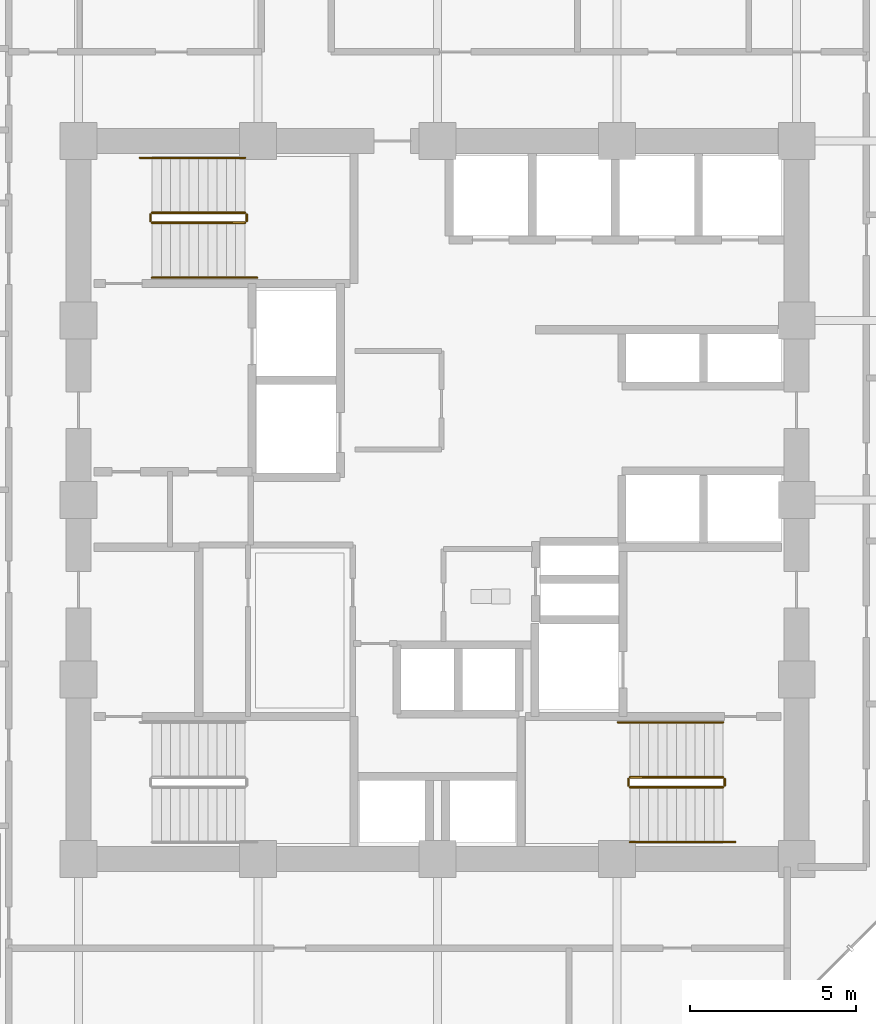
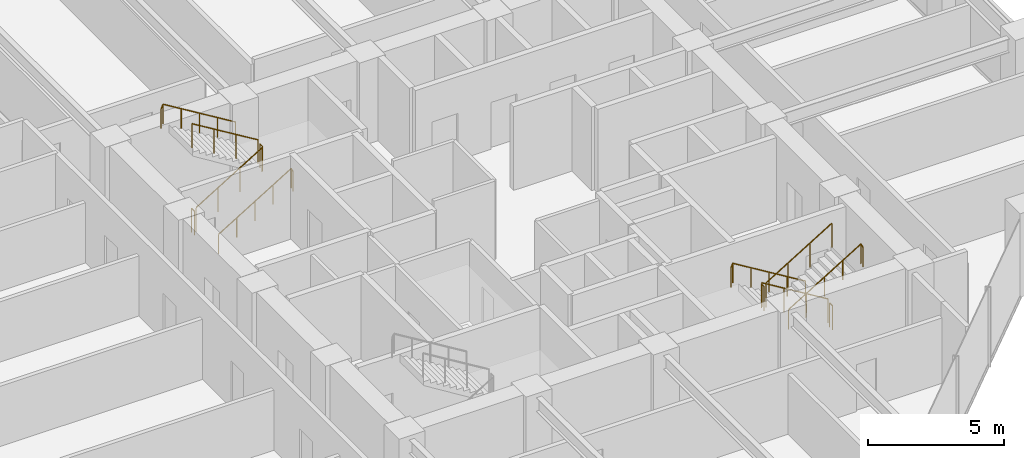
# One storey, part 24 of 25: 12 railings.
"""IFC4 building model written with IfcOpenShell, lengths in metres."""

from ifc_helpers import new_model, si_unit, direction, frame, origin, origin_2d, place, context, subcontext, project, spatial, circle, extrude, material, type_object, element, save


model = new_model("IFC4")

# Units and contexts
model_context = context("Model", 3, precision=1e-05, world=origin(), true_north=direction((0.0, 1.0)))
body_context = subcontext(model_context, "Body", "Model", "MODEL_VIEW")
ifc_project = project(units=[si_unit("LENGTHUNIT", "METRE"), si_unit("AREAUNIT", "SQUARE_METRE"), si_unit("VOLUMEUNIT", "CUBIC_METRE"), si_unit("PLANEANGLEUNIT", "RADIAN"), si_unit("MASSUNIT", "GRAM", prefix="KILO")], contexts=[model_context])

# Site, building, storey
site_placement = place(None, origin())
site = spatial("IfcSite", under=ifc_project, at=site_placement, CompositionType="ELEMENT")
building_placement = place(site_placement, origin())
building = spatial("IfcBuilding", under=site, at=building_placement, Name="Surkhivell Harbour Commons", CompositionType="ELEMENT")
storey_placement = place(building_placement, frame((0.0, 0.0, 113.25)))
storey = spatial("IfcBuildingStorey", under=building, at=storey_placement, Name="L29", CompositionType="ELEMENT", Elevation=113.25)

# Railings
ifc_material_1 = material(Name="Galvanised and painted steel S355 guard rail", Category="steel")
railing_type_1 = type_object("IfcRailingType", Name="RAL-ST-GRD1100", PredefinedType="GUARDRAIL", material=ifc_material_1)
railing_1_placement = place(storey_placement, frame((-8.590087890625, 8.340087890625, 0.17041015625)))
element("IfcRailing", 1, at=railing_1_placement, inside=storey, type_object=railing_type_1, Name="L29 ST1 stair guard 1", PredefinedType="GUARDRAIL", context=body_context, shape_type="SweptSolid", body=[
    extrude(circle(Radius=0.02392578125, at=origin_2d()), frame((0.0, 0.0, 1.076171875), z_axis=(0.854169791009, 0.0, 0.51999420009), x_axis=(0.0, 1.0, 0.0)), (0.0, 0.0, 1.0), 3.278076171875),
    extrude(circle(Radius=0.02099609375, at=origin_2d()), origin(), (0.0, 0.0, 1.0), 1.052001953125),
    extrude(circle(Radius=0.02099609375, at=origin_2d()), frame((0.933349609375, 0.0, 0.568115234375)), (0.0, 0.0, 1.0), 1.052001953125),
    extrude(circle(Radius=0.02099609375, at=origin_2d()), frame((1.86669921875, 0.0, 1.136474609375)), (0.0, 0.0, 1.0), 1.052001953125),
    extrude(circle(Radius=0.02099609375, at=origin_2d()), frame((2.800048828125, 0.0, 1.70458984375)), (0.0, 0.0, 1.0), 1.052001953125),
])
railing_2_placement = place(storey_placement, frame((-5.739990234375, 8.389892578125, 1.875)))
element("IfcRailing", 2, at=railing_2_placement, inside=storey, type_object=railing_type_1, Name="L29 ST1 stair guard 2", PredefinedType="GUARDRAIL", context=body_context, shape_type="SweptSolid", body=[
    extrude(circle(Radius=0.02392578125, at=origin_2d()), frame((0.0, 0.0, 1.076171875), z_axis=(0.0, 1.0, 0.0), x_axis=(-1.0, 0.0, 0.0)), (0.0, 0.0, 1.0), 0.2001953125),
    extrude(circle(Radius=0.02099609375, at=origin_2d()), origin(), (0.0, 0.0, 1.0), 1.052001953125),
    extrude(circle(Radius=0.02099609375, at=origin_2d()), frame((0.0, 0.2001953125, 0.0)), (0.0, 0.0, 1.0), 1.052001953125),
])
railing_3_placement = place(storey_placement, frame((-5.7900390625, 8.639892578125, 2.04541015625)))
element("IfcRailing", 3, at=railing_3_placement, inside=storey, type_object=railing_type_1, Name="L29 ST1 stair guard 3", PredefinedType="GUARDRAIL", context=body_context, shape_type="SweptSolid", body=[
    extrude(circle(Radius=0.02392578125, at=origin_2d()), frame((0.0, 0.0, 1.076171875), z_axis=(-0.854169791009, 0.0, 0.51999420009), x_axis=(0.0, -1.0, 0.0)), (0.0, 0.0, 1.0), 3.278076171875),
    extrude(circle(Radius=0.02099609375, at=origin_2d()), origin(), (0.0, 0.0, 1.0), 1.052001953125),
    extrude(circle(Radius=0.02099609375, at=origin_2d()), frame((-0.933349609375, 0.0, 0.568115234375)), (0.0, 0.0, 1.0), 1.052001953125),
    extrude(circle(Radius=0.02099609375, at=origin_2d()), frame((-1.86669921875, 0.0, 1.136474609375)), (0.0, 0.0, 1.0), 1.052001953125),
    extrude(circle(Radius=0.02099609375, at=origin_2d()), frame((-2.800048828125, 0.0, 1.70458984375)), (0.0, 0.0, 1.0), 1.052001953125),
])
railing_4_placement = place(storey_placement, frame((-8.639892578125, 8.389892578125, 0.0)))
element("IfcRailing", 4, at=railing_4_placement, inside=storey, type_object=railing_type_1, Name="L29 ST1 stair guard 4", PredefinedType="GUARDRAIL", context=body_context, shape_type="SweptSolid", body=[
    extrude(circle(Radius=0.02392578125, at=origin_2d()), frame((0.0, 0.0, 1.076171875), z_axis=(0.0, 1.0, 0.0), x_axis=(-1.0, 0.0, 0.0)), (0.0, 0.0, 1.0), 0.2001953125),
    extrude(circle(Radius=0.02099609375, at=origin_2d()), origin(), (0.0, 0.0, 1.0), 1.052001953125),
    extrude(circle(Radius=0.02099609375, at=origin_2d()), frame((0.0, 0.2001953125, 0.0)), (0.0, 0.0, 1.0), 1.052001953125),
])
railing_5_placement = place(storey_placement, frame((8.590087890625, -8.340087890625, 0.17041015625)))
element("IfcRailing", 5, at=railing_5_placement, inside=storey, type_object=railing_type_1, Name="L29 ST2 stair guard 1", PredefinedType="GUARDRAIL", context=body_context, shape_type="SweptSolid", body=[
    extrude(circle(Radius=0.02392578125, at=origin_2d()), frame((0.0, 0.0, 1.076171875), z_axis=(-0.854169791009, 0.0, 0.51999420009), x_axis=(0.0, -1.0, 0.0)), (0.0, 0.0, 1.0), 3.278076171875),
    extrude(circle(Radius=0.02099609375, at=origin_2d()), origin(), (0.0, 0.0, 1.0), 1.052001953125),
    extrude(circle(Radius=0.02099609375, at=origin_2d()), frame((-0.933349609375, 0.0, 0.568115234375)), (0.0, 0.0, 1.0), 1.052001953125),
    extrude(circle(Radius=0.02099609375, at=origin_2d()), frame((-1.86669921875, 0.0, 1.136474609375)), (0.0, 0.0, 1.0), 1.052001953125),
    extrude(circle(Radius=0.02099609375, at=origin_2d()), frame((-2.800048828125, 0.0, 1.70458984375)), (0.0, 0.0, 1.0), 1.052001953125),
])
railing_6_placement = place(storey_placement, frame((5.739990234375, -8.389892578125, 1.875)))
element("IfcRailing", 6, at=railing_6_placement, inside=storey, type_object=railing_type_1, Name="L29 ST2 stair guard 2", PredefinedType="GUARDRAIL", context=body_context, shape_type="SweptSolid", body=[
    extrude(circle(Radius=0.02392578125, at=origin_2d()), frame((0.0, 0.0, 1.076171875), z_axis=(0.0, -1.0, 0.0), x_axis=(1.0, 0.0, 0.0)), (0.0, 0.0, 1.0), 0.2001953125),
    extrude(circle(Radius=0.02099609375, at=origin_2d()), origin(), (0.0, 0.0, 1.0), 1.052001953125),
    extrude(circle(Radius=0.02099609375, at=origin_2d()), frame((0.0, -0.2001953125, 0.0)), (0.0, 0.0, 1.0), 1.052001953125),
])
railing_7_placement = place(storey_placement, frame((5.7900390625, -8.639892578125, 2.04541015625)))
element("IfcRailing", 7, at=railing_7_placement, inside=storey, type_object=railing_type_1, Name="L29 ST2 stair guard 3", PredefinedType="GUARDRAIL", context=body_context, shape_type="SweptSolid", body=[
    extrude(circle(Radius=0.02392578125, at=origin_2d()), frame((0.0, 0.0, 1.076171875), z_axis=(0.854169791009, 0.0, 0.51999420009), x_axis=(0.0, 1.0, 0.0)), (0.0, 0.0, 1.0), 3.278076171875),
    extrude(circle(Radius=0.02099609375, at=origin_2d()), origin(), (0.0, 0.0, 1.0), 1.052001953125),
    extrude(circle(Radius=0.02099609375, at=origin_2d()), frame((0.933349609375, 0.0, 0.568115234375)), (0.0, 0.0, 1.0), 1.052001953125),
    extrude(circle(Radius=0.02099609375, at=origin_2d()), frame((1.86669921875, 0.0, 1.136474609375)), (0.0, 0.0, 1.0), 1.052001953125),
    extrude(circle(Radius=0.02099609375, at=origin_2d()), frame((2.800048828125, 0.0, 1.70458984375)), (0.0, 0.0, 1.0), 1.052001953125),
])
railing_8_placement = place(storey_placement, frame((8.639892578125, -8.389892578125, 0.0)))
element("IfcRailing", 8, at=railing_8_placement, inside=storey, type_object=railing_type_1, Name="L29 ST2 stair guard 4", PredefinedType="GUARDRAIL", context=body_context, shape_type="SweptSolid", body=[
    extrude(circle(Radius=0.02392578125, at=origin_2d()), frame((0.0, 0.0, 1.076171875), z_axis=(0.0, -1.0, 0.0), x_axis=(1.0, 0.0, 0.0)), (0.0, 0.0, 1.0), 0.2001953125),
    extrude(circle(Radius=0.02099609375, at=origin_2d()), origin(), (0.0, 0.0, 1.0), 1.052001953125),
    extrude(circle(Radius=0.02099609375, at=origin_2d()), frame((0.0, -0.2001953125, 0.0)), (0.0, 0.0, 1.0), 1.052001953125),
])
ifc_material_2 = material(Name="Brushed stainless steel S355 handrail", Category="steel")
railing_type_2 = type_object("IfcRailingType", Name="RAL-ST-HND900", PredefinedType="HANDRAIL", material=ifc_material_2)
railing_9_placement = place(storey_placement, frame((-8.590087890625, 6.68994140625, 0.17041015625)))
element("IfcRailing", 9, at=railing_9_placement, inside=storey, type_object=railing_type_2, Name="L29 ST1 stair handrail 1", PredefinedType="HANDRAIL", context=body_context, shape_type="SweptSolid", body=[
    extrude(circle(Radius=0.02392578125, at=origin_2d()), frame((0.0, 0.0, 0.8759765625), z_axis=(0.854177636135, 0.0, 0.519981313056), x_axis=(0.0, 1.0, 0.0)), (0.0, 0.0, 1.0), 3.60595703125),
    extrude(circle(Radius=0.02392578125, at=origin_2d()), frame((3.080078125, 0.0, 2.7509765625), z_axis=(0.425297416671, 0.0, -0.905053648892), x_axis=(0.0, 1.0, 0.0)), (0.0, 0.0, 1.0), 0.188232421875),
    extrude(circle(Radius=0.02099609375, at=origin_2d()), origin(), (0.0, 0.0, 1.0), 0.851806640625),
    extrude(circle(Radius=0.02099609375, at=origin_2d()), frame((0.77001953125, 0.0, 0.46875)), (0.0, 0.0, 1.0), 0.851806640625),
    extrude(circle(Radius=0.02099609375, at=origin_2d()), frame((1.5400390625, 0.0, 0.9375)), (0.0, 0.0, 1.0), 0.851806640625),
    extrude(circle(Radius=0.02099609375, at=origin_2d()), frame((2.31005859375, 0.0, 1.40625)), (0.0, 0.0, 1.0), 0.851806640625),
    extrude(circle(Radius=0.02099609375, at=origin_2d()), frame((3.080078125, 0.0, 1.875)), (0.0, 0.0, 1.0), 0.851806640625),
    extrude(circle(Radius=0.02099609375, at=origin_2d()), frame((3.16015625, 0.0, 1.70458984375)), (0.0, 0.0, 1.0), 0.851806640625),
])
railing_10_placement = place(storey_placement, frame((-5.7900390625, 10.2900390625, 2.04541015625)))
element("IfcRailing", 10, at=railing_10_placement, inside=storey, type_object=railing_type_2, Name="L29 ST1 stair handrail 2", PredefinedType="HANDRAIL", context=body_context, shape_type="SweptSolid", body=[
    extrude(circle(Radius=0.02392578125, at=origin_2d()), frame((0.0, 0.0, 0.8759765625), z_axis=(-0.854177636135, 0.0, 0.519981313056), x_axis=(0.0, -1.0, 0.0)), (0.0, 0.0, 1.0), 3.60595703125),
    extrude(circle(Radius=0.02392578125, at=origin_2d()), frame((-3.080078125, 0.0, 2.7509765625), z_axis=(-0.424234432967, 0.0, -0.905552398199), x_axis=(0.0, -1.0, 0.0)), (0.0, 0.0, 1.0), 0.188232421875),
    extrude(circle(Radius=0.02099609375, at=origin_2d()), origin(), (0.0, 0.0, 1.0), 0.851806640625),
    extrude(circle(Radius=0.02099609375, at=origin_2d()), frame((-0.77001953125, 0.0, 0.46875)), (0.0, 0.0, 1.0), 0.851806640625),
    extrude(circle(Radius=0.02099609375, at=origin_2d()), frame((-1.5400390625, 0.0, 0.9375)), (0.0, 0.0, 1.0), 0.851806640625),
    extrude(circle(Radius=0.02099609375, at=origin_2d()), frame((-2.31005859375, 0.0, 1.40625)), (0.0, 0.0, 1.0), 0.851806640625),
    extrude(circle(Radius=0.02099609375, at=origin_2d()), frame((-3.080078125, 0.0, 1.875)), (0.0, 0.0, 1.0), 0.851806640625),
    extrude(circle(Radius=0.02099609375, at=origin_2d()), frame((-3.159912109375, 0.0, 1.70458984375)), (0.0, 0.0, 1.0), 0.851806640625),
])
railing_11_placement = place(storey_placement, frame((8.590087890625, -6.68994140625, 0.17041015625)))
element("IfcRailing", 11, at=railing_11_placement, inside=storey, type_object=railing_type_2, Name="L29 ST2 stair handrail 1", PredefinedType="HANDRAIL", context=body_context, shape_type="SweptSolid", body=[
    extrude(circle(Radius=0.02392578125, at=origin_2d()), frame((0.0, 0.0, 0.8759765625), z_axis=(-0.854177636135, 0.0, 0.519981313056), x_axis=(0.0, -1.0, 0.0)), (0.0, 0.0, 1.0), 3.60595703125),
    extrude(circle(Radius=0.02392578125, at=origin_2d()), frame((-3.080078125, 0.0, 2.7509765625), z_axis=(-0.425297416671, 0.0, -0.905053648892), x_axis=(0.0, -1.0, 0.0)), (0.0, 0.0, 1.0), 0.188232421875),
    extrude(circle(Radius=0.02099609375, at=origin_2d()), origin(), (0.0, 0.0, 1.0), 0.851806640625),
    extrude(circle(Radius=0.02099609375, at=origin_2d()), frame((-0.77001953125, 0.0, 0.46875)), (0.0, 0.0, 1.0), 0.851806640625),
    extrude(circle(Radius=0.02099609375, at=origin_2d()), frame((-1.5400390625, 0.0, 0.9375)), (0.0, 0.0, 1.0), 0.851806640625),
    extrude(circle(Radius=0.02099609375, at=origin_2d()), frame((-2.31005859375, 0.0, 1.40625)), (0.0, 0.0, 1.0), 0.851806640625),
    extrude(circle(Radius=0.02099609375, at=origin_2d()), frame((-3.080078125, 0.0, 1.875)), (0.0, 0.0, 1.0), 0.851806640625),
    extrude(circle(Radius=0.02099609375, at=origin_2d()), frame((-3.16015625, 0.0, 1.70458984375)), (0.0, 0.0, 1.0), 0.851806640625),
])
railing_12_placement = place(storey_placement, frame((5.7900390625, -10.2900390625, 2.04541015625)))
element("IfcRailing", 12, at=railing_12_placement, inside=storey, type_object=railing_type_2, Name="L29 ST2 stair handrail 2", PredefinedType="HANDRAIL", context=body_context, shape_type="SweptSolid", body=[
    extrude(circle(Radius=0.02392578125, at=origin_2d()), frame((0.0, 0.0, 0.8759765625), z_axis=(0.854177636135, 0.0, 0.519981313056), x_axis=(0.0, 1.0, 0.0)), (0.0, 0.0, 1.0), 3.60595703125),
    extrude(circle(Radius=0.02392578125, at=origin_2d()), frame((3.080078125, 0.0, 2.7509765625), z_axis=(0.424234432967, 0.0, -0.905552398199), x_axis=(0.0, 1.0, 0.0)), (0.0, 0.0, 1.0), 0.188232421875),
    extrude(circle(Radius=0.02099609375, at=origin_2d()), origin(), (0.0, 0.0, 1.0), 0.851806640625),
    extrude(circle(Radius=0.02099609375, at=origin_2d()), frame((0.77001953125, 0.0, 0.46875)), (0.0, 0.0, 1.0), 0.851806640625),
    extrude(circle(Radius=0.02099609375, at=origin_2d()), frame((1.5400390625, 0.0, 0.9375)), (0.0, 0.0, 1.0), 0.851806640625),
    extrude(circle(Radius=0.02099609375, at=origin_2d()), frame((2.31005859375, 0.0, 1.40625)), (0.0, 0.0, 1.0), 0.851806640625),
    extrude(circle(Radius=0.02099609375, at=origin_2d()), frame((3.080078125, 0.0, 1.875)), (0.0, 0.0, 1.0), 0.851806640625),
    extrude(circle(Radius=0.02099609375, at=origin_2d()), frame((3.159912109375, 0.0, 1.70458984375)), (0.0, 0.0, 1.0), 0.851806640625),
])

save(model, "model.ifc")
